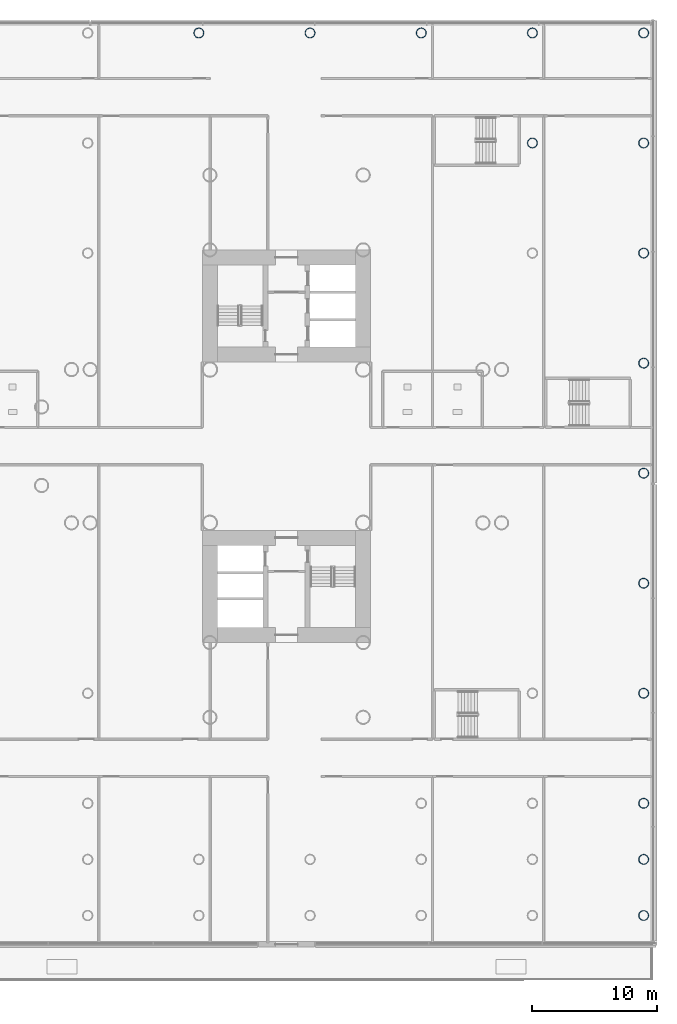
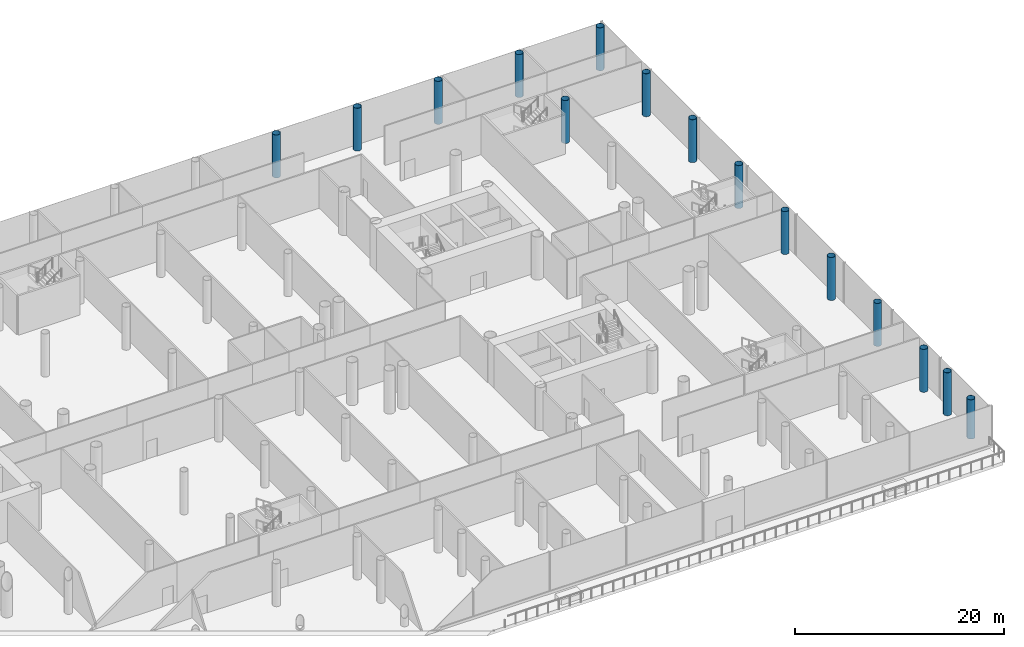
# One storey, part 4 of 59: 15 columns.
"""IFC4 building model written with IfcOpenShell, lengths in metres."""

import ifcopenshell
import ifcopenshell.guid

model = None  # the IFC model being written
_history = None  # IfcOwnerHistory: only IFC2X3 demands one
_inside = {}  # id of a spatial element -> (the spatial element, [elements in it])
_under = {}  # id of a project, library or spatial element -> (it, [spatial elements below it])
_declared = {}  # id of a project -> (the project, [libraries it declares])
_typed = {}  # id of a type object -> (the type object, [elements of that type])
_made_of = {}  # id of a material, layer set ... -> (it, [elements and type objects made of it])


def new_model(schema):
    """Start an empty IFC model of exactly this schema.

    Asked for "IFC4X3", IfcOpenShell would pick the latest addendum, in which some entities
    have other attributes; the version numbers below select the first issue.
    IFC2X3 requires an IfcOwnerHistory on every rooted entity: one is made here for all.
    """
    global model, _history
    if schema == "IFC4X3":
        model = ifcopenshell.file(schema_version=(4, 3, 0, 0))
    else:
        model = ifcopenshell.file(schema=schema)
    _inside.clear()
    _under.clear()
    _declared.clear()
    _typed.clear()
    _made_of.clear()
    _history = None
    if model.schema == "IFC2X3":
        org = make("IfcOrganization", Name="unknown")
        user = make(
            "IfcPersonAndOrganization",
            ThePerson=make("IfcPerson", FamilyName="unknown"),
            TheOrganization=org,
        )
        app = make(
            "IfcApplication",
            ApplicationDeveloper=org,
            Version="unknown",
            ApplicationFullName="unknown",
            ApplicationIdentifier="unknown",
        )
        _history = make(
            "IfcOwnerHistory",
            OwningUser=user,
            OwningApplication=app,
            ChangeAction="ADDED",
            CreationDate=0,
        )
    return model


def make(cls, **values):
    """One entity of the class cls with the attributes given. An attribute that is None is left unset."""
    return model.create_entity(
        cls, **{name: value for name, value in values.items() if value is not None}
    )


def rooted(cls, **values):
    """An entity with a GlobalId (a new one), such as an element, a storey or a relation."""
    return make(cls, GlobalId=ifcopenshell.guid.new(), OwnerHistory=_history, **values)


def si_unit(unit_type, name, prefix=None):
    """IfcSIUnit, for example si_unit("LENGTHUNIT", "METRE", prefix="MILLI")."""
    return make("IfcSIUnit", UnitType=unit_type, Prefix=prefix, Name=name)


def assignment(units):
    """IfcUnitAssignment: the units of a project."""
    return None if units is None else make("IfcUnitAssignment", Units=units)


def point(xyz):
    """IfcCartesianPoint."""
    return None if xyz is None else make("IfcCartesianPoint", Coordinates=xyz)


def direction(xyz):
    """IfcDirection."""
    return None if xyz is None else make("IfcDirection", DirectionRatios=xyz)


def frame(location, z_axis=None, x_axis=None):
    """IfcAxis2Placement3D, a coordinate frame: its origin and axes. An axis left out is left unset."""
    return make(
        "IfcAxis2Placement3D",
        Location=point(location),
        Axis=direction(z_axis),
        RefDirection=direction(x_axis),
    )


def frame_2d(location, x_axis=None):
    """IfcAxis2Placement2D, a coordinate frame in the plane: its origin and x axis."""
    return make(
        "IfcAxis2Placement2D", Location=point(location), RefDirection=direction(x_axis)
    )


def origin():
    """The frame at (0, 0, 0) with its axes left unset."""
    return frame((0.0, 0.0, 0.0))


def origin_2d():
    """The frame at (0, 0) in the plane with its x axis left unset."""
    return frame_2d((0.0, 0.0))


def place(relative_to, where):
    """IfcLocalPlacement: puts the frame where relative to a parent placement (None: the world)."""
    return make(
        "IfcLocalPlacement", PlacementRelTo=relative_to, RelativePlacement=where
    )


def context(
    kind, dimensions, precision=None, world=None, true_north=None, identifier=None
):
    """IfcGeometricRepresentationContext, for example the 3D "Model" context."""
    return make(
        "IfcGeometricRepresentationContext",
        ContextIdentifier=identifier,
        ContextType=kind,
        CoordinateSpaceDimension=dimensions,
        Precision=precision,
        WorldCoordinateSystem=world,
        TrueNorth=true_north,
    )


def subcontext(parent, identifier, kind, view, scale=None):
    """IfcGeometricRepresentationSubContext, for example "Body" below "Model"."""
    return make(
        "IfcGeometricRepresentationSubContext",
        ContextIdentifier=identifier,
        ContextType=kind,
        ParentContext=parent,
        TargetScale=scale,
        TargetView=view,
    )


def project(units=None, contexts=None):
    """IfcProject with its units and contexts."""
    return rooted(
        "IfcProject",
        Name="project",
        RepresentationContexts=contexts,
        UnitsInContext=assignment(units),
    )


def spatial(cls, under=None, at=None, **own):
    """A site, building, storey or space (cls), placed at a placement, below another one or the project."""
    s = rooted(cls, ObjectPlacement=at, **own)
    if under is not None:
        _under.setdefault(under.id(), (under, []))[1].append(s)
    return s


def profile(cls, at=None, kind="AREA", **sizes):
    """A parametric profile (cls). Its sizes go by their IFC names, for example OverallWidth=200.0."""
    return make(cls, ProfileType=kind, Position=at, **sizes)


def hollow_circle(**sizes):
    """IfcCircleHollowProfileDef."""
    return profile("IfcCircleHollowProfileDef", **sizes)


def extrude(swept, where, along, depth):
    """IfcExtrudedAreaSolid: the profile swept, set in the frame where, extruded along a direction by depth."""
    return make(
        "IfcExtrudedAreaSolid",
        SweptArea=swept,
        Position=where,
        ExtrudedDirection=direction(along),
        Depth=depth,
    )


def shape(context_of_items, identifier, shape_type, items):
    """IfcShapeRepresentation: the items that make up one representation, for example the "Body"."""
    return make(
        "IfcShapeRepresentation",
        ContextOfItems=context_of_items,
        RepresentationIdentifier=identifier,
        RepresentationType=shape_type,
        Items=items,
    )


def material(Name=None, Category=None):
    """IfcMaterial."""
    return make("IfcMaterial", Name=Name, Category=Category)


def material_profile(
    of_material, cross_section, Name=None, Category=None, Priority=None
):
    """IfcMaterialProfile: a cross section and its material."""
    return make(
        "IfcMaterialProfile",
        Name=Name,
        Material=of_material,
        Profile=cross_section,
        Priority=Priority,
        Category=Category,
    )


def profile_set(profiles, Name=None, composite=None):
    """IfcMaterialProfileSet."""
    return make(
        "IfcMaterialProfileSet",
        Name=Name,
        MaterialProfiles=profiles,
        CompositeProfile=composite,
    )


def made_of(thing, what):
    """Note that an element or type object is made of a material, layer set ...; save() writes the relation."""
    if what is not None:
        _made_of.setdefault(what.id(), (what, []))[1].append(thing)
    return thing


def type_object(cls, material=None, **own):
    """A type object (cls), such as IfcWallType, which elements share."""
    return made_of(rooted(cls, **own), material)


def element(
    cls,
    number,
    at=None,
    inside=None,
    cuts=None,
    type_object=None,
    material=None,
    context=None,
    identifier="Body",
    shape_type=None,
    held_by="IfcProductDefinitionShape",
    body=None,
    shapes=None,
    **own,
):
    """One element of the class cls, such as IfcWall. Its Tag is "e" and its number.

    at: its placement. inside: the storey or other place that contains it. cuts: it is an
    opening in that element (IfcRelVoidsElement). A single representation is given by context,
    identifier, shape_type and body (its items); several are given by shapes. held_by: the class
    of the entity that holds the representations. save() writes the other relations.
    """
    e = rooted(cls, Tag="e%d" % number, ObjectPlacement=at, **own)
    if body is not None:
        shapes = [shape(context, identifier, shape_type, body)]
    if shapes is not None:
        e.Representation = make(held_by, Representations=shapes)
    if inside is not None:
        _inside.setdefault(inside.id(), (inside, []))[1].append(e)
    if cuts is not None:
        rooted(
            "IfcRelVoidsElement", RelatingBuildingElement=cuts, RelatedOpeningElement=e
        )
    if type_object is not None:
        _typed.setdefault(type_object.id(), (type_object, []))[1].append(e)
    return made_of(e, material)


def aggregate(whole, parts):
    """IfcRelAggregates: a whole, such as a stair, and the parts it consists of."""
    return rooted("IfcRelAggregates", RelatingObject=whole, RelatedObjects=parts)


def save(model, path):
    """Write the relations noted so far, then the file.

    IfcRelAggregates (storeys below a building ...), IfcRelContainedInSpatialStructure (elements
    in a storey), IfcRelDefinesByType, IfcRelAssociatesMaterial and IfcRelDeclares: one each for
    every whole, place, type object, material and project.
    """
    for whole, parts in _under.values():
        aggregate(whole, parts)
    for where, things in _inside.values():
        rooted(
            "IfcRelContainedInSpatialStructure",
            RelatedElements=things,
            RelatingStructure=where,
        )
    for kind, things in _typed.values():
        rooted("IfcRelDefinesByType", RelatedObjects=things, RelatingType=kind)
    for what, things in _made_of.values():
        rooted("IfcRelAssociatesMaterial", RelatedObjects=things, RelatingMaterial=what)
    for by, libraries in _declared.values():
        rooted("IfcRelDeclares", RelatingContext=by, RelatedDefinitions=libraries)
    model.write(path)


model = new_model("IFC4")

# Units and contexts
model_context = context("Model", 3, precision=1e-05, world=origin(), true_north=direction((0.0, 1.0)))
body_context = subcontext(model_context, "Body", "Model", "MODEL_VIEW")
ifc_project = project(units=[si_unit("LENGTHUNIT", "METRE"), si_unit("AREAUNIT", "SQUARE_METRE"), si_unit("VOLUMEUNIT", "CUBIC_METRE"), si_unit("PLANEANGLEUNIT", "RADIAN"), si_unit("MASSUNIT", "GRAM", prefix="KILO")], contexts=[model_context])

# Site, building, storey
site_placement = place(None, origin())
site = spatial("IfcSite", under=ifc_project, at=site_placement, CompositionType="ELEMENT")
building_placement = place(site_placement, origin())
building = spatial("IfcBuilding", under=site, at=building_placement, Name="Ipe Terrace Towers", CompositionType="ELEMENT")
storey_placement = place(building_placement, frame((0.0, 0.0, 6.0)))
storey = spatial("IfcBuildingStorey", under=building, at=storey_placement, Name="L01", CompositionType="ELEMENT", Elevation=6.0)

# Columns
ifc_material = material(Name="Steel S355 tube with Concrete C60/75 fill", Category="concrete")
ifc_material_profile = material_profile(ifc_material, hollow_circle(Radius=0.39990234375, WallThickness=0.028076171875, at=origin_2d()), Name="CHS-800x28")
ifc_profile_set = profile_set([ifc_material_profile], Name="Steel S355 tube with Concrete C60/75 fill")
column_type = type_object("IfcColumnType", Name="CH09 PODIUM COLUMN CHS-800x28", PredefinedType="COLUMN", material=ifc_profile_set)
column_placement = place(storey_placement, frame((64.64990234375, -37.64990234375, 0.0), z_axis=(0.0, 0.0, 1.0), x_axis=(1.0, 0.0, 0.0)))
element("IfcColumn", 1, at=column_placement, inside=storey, type_object=column_type, Name="Column PD-C-B16", PredefinedType="COLUMN", context=body_context, shape_type="SweptSolid", body=[
    extrude(hollow_circle(Radius=0.39990234375, WallThickness=0.028076171875, at=origin_2d()), origin(), (0.0, 0.0, 1.0), 4.580078125),
])
for number, where, z_axis, x_axis, name in (
    (2, (64.64990234375, -33.14990234375, 0.0), (0.0, 0.0, 1.0), (1.0, 0.0, 0.0), "Column PD-C-C16"),
    (3, (64.64990234375, -28.64990234375, 0.0), (0.0, 0.0, 1.0), (1.0, 0.0, 0.0), "Column PD-C-D16"),
    (4, (64.64990234375, -19.821044921875, 0.0), (0.0, 0.0, 1.0), (1.0, 0.0, 0.0), "Column PD-C-E16"),
    (5, (64.64990234375, -10.992919921875, 0.0), (0.0, 0.0, 1.0), (1.0, 0.0, 0.0), "Column PD-C-F16"),
    (6, (64.64990234375, -2.1640625, 0.0), (0.0, 0.0, 1.0), (1.0, 0.0, 0.0), "Column PD-C-G16"),
    (7, (64.64990234375, 6.6640625, 0.0), (0.0, 0.0, 1.0), (1.0, 0.0, 0.0), "Column PD-C-H16"),
    (8, (64.64990234375, 15.492919921875, 0.0), (0.0, 0.0, 1.0), (1.0, 0.0, 0.0), "Column PD-C-I16"),
    (9, (55.72998046875, 24.321044921875, 0.0), (0.0, 0.0, 1.0), (1.0, 0.0, 0.0), "Column PD-C-J15"),
    (10, (64.64990234375, 24.321044921875, 0.0), (0.0, 0.0, 1.0), (1.0, 0.0, 0.0), "Column PD-C-J16"),
    (11, (28.969970703125, 33.14990234375, 0.0), (0.0, 0.0, 1.0), (1.0, 0.0, 0.0), "Column PD-C-K12"),
    (12, (37.889892578125, 33.14990234375, 0.0), (0.0, 0.0, 1.0), (1.0, 0.0, 0.0), "Column PD-C-K13"),
    (13, (46.81005859375, 33.14990234375, 0.0), (0.0, 0.0, 1.0), (1.0, 0.0, 0.0), "Column PD-C-K14"),
    (14, (55.72998046875, 33.14990234375, 0.0), (0.0, 0.0, 1.0), (1.0, 0.0, 0.0), "Column PD-C-K15"),
    (15, (64.64990234375, 33.14990234375, 0.0), (0.0, 0.0, 1.0), (1.0, 0.0, 0.0), "Column PD-C-K16"),
):
    element("IfcColumn", number, at=place(storey_placement, frame(where, z_axis=z_axis, x_axis=x_axis)), inside=storey, type_object=column_type, Name=name, PredefinedType="COLUMN", context=body_context, shape_type="SweptSolid", body=[
        extrude(hollow_circle(Radius=0.39990234375, WallThickness=0.028076171875, at=origin_2d()), origin(), (0.0, 0.0, 1.0), 5.0),
    ])

save(model, "model.ifc")
